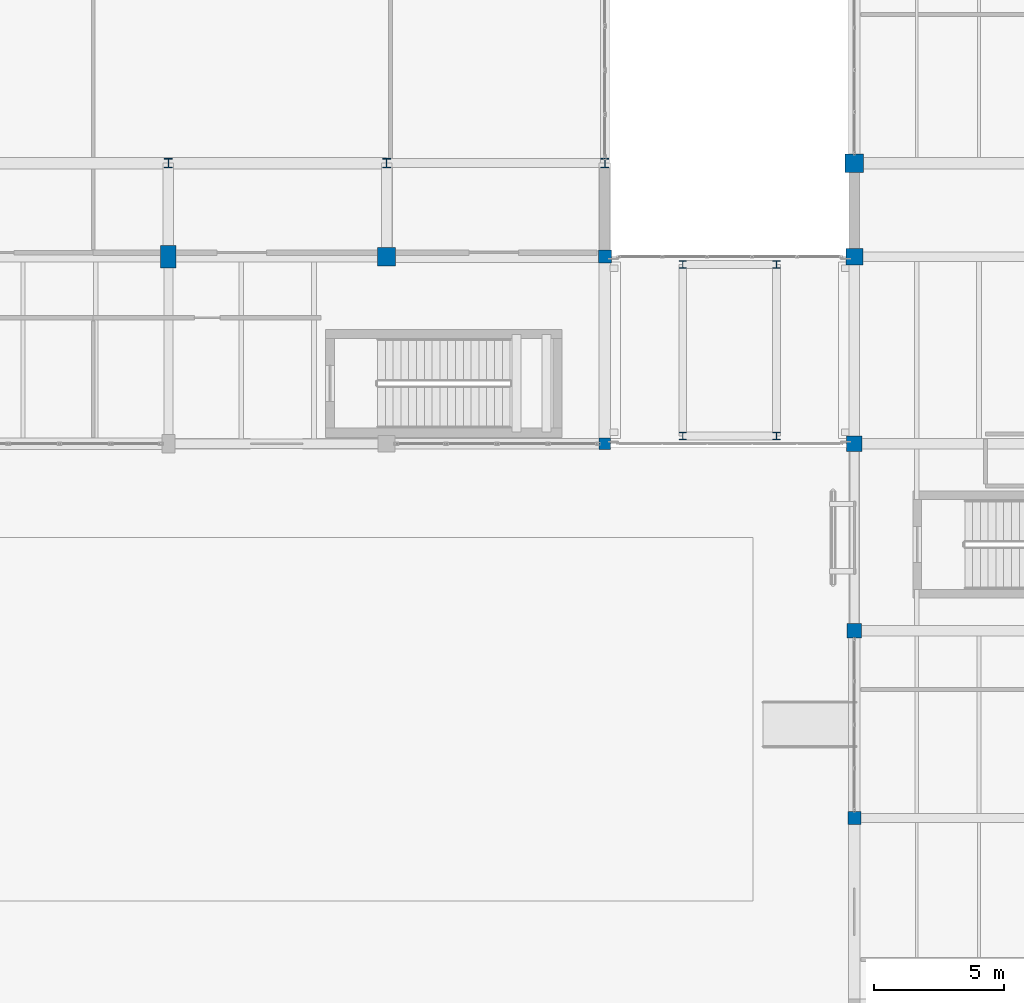
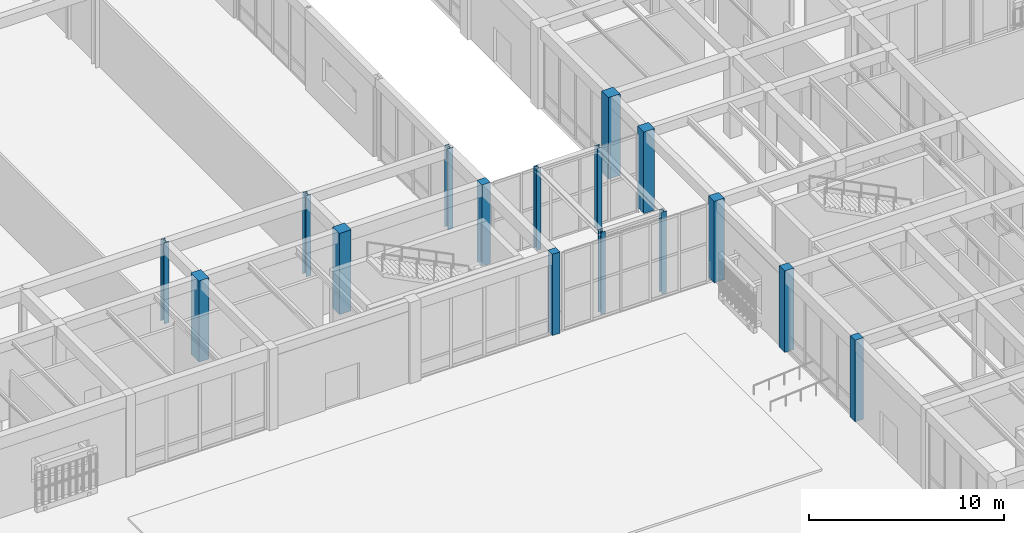
# One storey, part 12 of 169: 16 columns.
"""IFC4 building model written with IfcOpenShell, lengths in metres."""

from ifc_helpers import new_model, si_unit, direction, frame, origin, origin_2d, place, context, subcontext, project, spatial, rectangle, i_section, extrude, material, material_profile, profile_set, type_object, element, save


model = new_model("IFC4")

# Units and contexts
model_context = context("Model", 3, precision=1e-05, world=origin(), true_north=direction((0.0, 1.0)))
body_context = subcontext(model_context, "Body", "Model", "MODEL_VIEW")
ifc_project = project(units=[si_unit("LENGTHUNIT", "METRE"), si_unit("AREAUNIT", "SQUARE_METRE"), si_unit("VOLUMEUNIT", "CUBIC_METRE"), si_unit("PLANEANGLEUNIT", "RADIAN"), si_unit("MASSUNIT", "GRAM", prefix="KILO")], contexts=[model_context])

# Site, building, storey
site_placement = place(None, origin())
site = spatial("IfcSite", under=ifc_project, at=site_placement, CompositionType="ELEMENT")
building_placement = place(site_placement, origin())
building = spatial("IfcBuilding", under=site, at=building_placement, Name="Mazaris Harbour Polytechnic", CompositionType="ELEMENT")
storey_placement = place(building_placement, origin())
storey = spatial("IfcBuildingStorey", under=building, at=storey_placement, Name="L00", CompositionType="ELEMENT", Elevation=0.0)

# Columns
ifc_material_1 = material(Name="Concrete C40/50", Category="concrete")
ifc_material_profile_1 = material_profile(ifc_material_1, rectangle(XDim=0.449951171875, YDim=0.449951171875, at=origin_2d()), Name="RECT450x450")
ifc_profile_set_1 = profile_set([ifc_material_profile_1], Name="Concrete C40/50")
column_type_1 = type_object("IfcColumnType", Name="RC Column 450x450 Exterior", PredefinedType="COLUMN", material=ifc_profile_set_1)
column_1_placement = place(storey_placement, frame((112.800048828125, 75.60009765625, 0.0), z_axis=(0.0, 0.0, 1.0), x_axis=(1.0, 0.0, 0.0)))
element("IfcColumn", 1, at=column_1_placement, inside=storey, type_object=column_type_1, Name="V1 L00 Column 109", PredefinedType="COLUMN", context=body_context, shape_type="SweptSolid", body=[
    extrude(rectangle(XDim=0.449951171875, YDim=0.449951171875, at=origin_2d()), origin(), (0.0, 0.0, 1.0), 5.080078125),
])
ifc_material_2 = material(Name="Concrete C40/50", Category="concrete")
ifc_material_profile_2 = material_profile(ifc_material_2, rectangle(XDim=0.5, YDim=0.5, at=origin_2d()), Name="RECT500x500")
ifc_profile_set_2 = profile_set([ifc_material_profile_2], Name="Concrete C40/50")
column_type_2 = type_object("IfcColumnType", Name="RC Column 500x500 Exterior", PredefinedType="COLUMN", material=ifc_profile_set_2)
column_2_placement = place(storey_placement, frame((112.800048828125, 82.800048828125, 0.0), z_axis=(0.0, 0.0, 1.0), x_axis=(1.0, 0.0, 0.0)))
element("IfcColumn", 2, at=column_2_placement, inside=storey, type_object=column_type_2, Name="V1 L00 Column 110", PredefinedType="COLUMN", context=body_context, shape_type="SweptSolid", body=[
    extrude(rectangle(XDim=0.5, YDim=0.5, at=origin_2d()), origin(), (0.0, 0.0, 1.0), 5.080078125),
])
column_3_placement = place(storey_placement, frame((122.39990234375, 61.199951171875, 0.0), z_axis=(0.0, 0.0, 1.0), x_axis=(1.0, 0.0, 0.0)))
element("IfcColumn", 3, at=column_3_placement, inside=storey, type_object=column_type_2, Name="V5 L00 Column 1180", PredefinedType="COLUMN", context=body_context, shape_type="SweptSolid", body=[
    extrude(rectangle(XDim=0.5, YDim=0.5, at=origin_2d()), origin(), (0.0, 0.0, 1.0), 5.10009765625),
])
ifc_material_3 = material(Name="Concrete C40/50", Category="concrete")
ifc_material_profile_3 = material_profile(ifc_material_3, rectangle(XDim=0.550048828125, YDim=0.550048828125, at=origin_2d()), Name="RECT550x550")
ifc_profile_set_3 = profile_set([ifc_material_profile_3], Name="Concrete C40/50")
column_type_3 = type_object("IfcColumnType", Name="RC Column 550x550 Exterior", PredefinedType="COLUMN", material=ifc_profile_set_3)
column_4_placement = place(storey_placement, frame((122.39990234375, 68.39990234375, 0.0), z_axis=(0.0, 0.0, 1.0), x_axis=(1.0, 0.0, 0.0)))
element("IfcColumn", 4, at=column_4_placement, inside=storey, type_object=column_type_3, Name="V5 L00 Column 1181", PredefinedType="COLUMN", context=body_context, shape_type="SweptSolid", body=[
    extrude(rectangle(XDim=0.550048828125, YDim=0.550048828125, at=origin_2d()), origin(), (0.0, 0.0, 1.0), 5.10009765625),
])
ifc_material_4 = material(Name="Concrete C40/50", Category="concrete")
ifc_material_profile_4 = material_profile(ifc_material_4, rectangle(XDim=0.60009765625, YDim=0.60009765625, at=origin_2d()), Name="RECT600x600")
ifc_profile_set_4 = profile_set([ifc_material_profile_4], Name="Concrete C40/50")
column_type_4 = type_object("IfcColumnType", Name="RC Column 600x600 Exterior", PredefinedType="COLUMN", material=ifc_profile_set_4)
column_5_placement = place(storey_placement, frame((122.39990234375, 75.60009765625, 0.0), z_axis=(0.0, 0.0, 1.0), x_axis=(1.0, 0.0, 0.0)))
element("IfcColumn", 5, at=column_5_placement, inside=storey, type_object=column_type_4, Name="V5 L00 Column 1182", PredefinedType="COLUMN", context=body_context, shape_type="SweptSolid", body=[
    extrude(rectangle(XDim=0.60009765625, YDim=0.60009765625, at=origin_2d()), origin(), (0.0, 0.0, 1.0), 5.10009765625),
])
ifc_material_5 = material(Name="Concrete C40/50", Category="concrete")
ifc_material_profile_5 = material_profile(ifc_material_5, rectangle(XDim=0.60009765625, YDim=0.85009765625, at=origin_2d()), Name="RECT600x850")
ifc_profile_set_5 = profile_set([ifc_material_profile_5], Name="Concrete C40/50")
column_type_5 = type_object("IfcColumnType", Name="RC Column 600x850", PredefinedType="COLUMN", material=ifc_profile_set_5)
column_6_placement = place(storey_placement, frame((96.0, 82.800048828125, 0.0), z_axis=(0.0, 0.0, 1.0), x_axis=(1.0, 0.0, 0.0)))
element("IfcColumn", 6, at=column_6_placement, inside=storey, type_object=column_type_5, Name="V1 L00 Column 98", PredefinedType="COLUMN", context=body_context, shape_type="SweptSolid", body=[
    extrude(rectangle(XDim=0.60009765625, YDim=0.85009765625, at=origin_2d()), origin(), (0.0, 0.0, 1.0), 5.080078125),
])
ifc_material_6 = material(Name="Concrete C40/50", Category="concrete")
ifc_material_profile_6 = material_profile(ifc_material_6, rectangle(XDim=0.64990234375, YDim=0.64990234375, at=origin_2d()), Name="RECT650x650")
ifc_profile_set_6 = profile_set([ifc_material_profile_6], Name="Concrete C40/50")
column_type_6 = type_object("IfcColumnType", Name="RC Column 650x650 Exterior", PredefinedType="COLUMN", material=ifc_profile_set_6)
column_7_placement = place(storey_placement, frame((122.39990234375, 82.800048828125, 0.0), z_axis=(0.0, 0.0, 1.0), x_axis=(1.0, 0.0, 0.0)))
element("IfcColumn", 7, at=column_7_placement, inside=storey, type_object=column_type_6, Name="V5 L00 Column 1183", PredefinedType="COLUMN", context=body_context, shape_type="SweptSolid", body=[
    extrude(rectangle(XDim=0.64990234375, YDim=0.64990234375, at=origin_2d()), origin(), (0.0, 0.0, 1.0), 5.10009765625),
])
ifc_material_7 = material(Name="Concrete C40/50", Category="concrete")
ifc_material_profile_7 = material_profile(ifc_material_7, rectangle(XDim=0.699951171875, YDim=0.699951171875, at=origin_2d()), Name="RECT700x700")
ifc_profile_set_7 = profile_set([ifc_material_profile_7], Name="Concrete C40/50")
column_type_7 = type_object("IfcColumnType", Name="RC Column 700x700", PredefinedType="COLUMN", material=ifc_profile_set_7)
column_8_placement = place(storey_placement, frame((104.39990234375, 82.800048828125, 0.0), z_axis=(0.0, 0.0, 1.0), x_axis=(1.0, 0.0, 0.0)))
element("IfcColumn", 8, at=column_8_placement, inside=storey, type_object=column_type_7, Name="V1 L00 Column 104", PredefinedType="COLUMN", context=body_context, shape_type="SweptSolid", body=[
    extrude(rectangle(XDim=0.699951171875, YDim=0.699951171875, at=origin_2d()), origin(), (0.0, 0.0, 1.0), 5.080078125),
])
ifc_material_8 = material(Name="Concrete C40/50", Category="concrete")
ifc_material_profile_8 = material_profile(ifc_material_8, rectangle(XDim=0.699951171875, YDim=0.699951171875, at=origin_2d()), Name="RECT700x700")
ifc_profile_set_8 = profile_set([ifc_material_profile_8], Name="Concrete C40/50")
column_type_8 = type_object("IfcColumnType", Name="RC Column 700x700 Exterior", PredefinedType="COLUMN", material=ifc_profile_set_8)
column_9_placement = place(storey_placement, frame((122.39990234375, 86.39990234375, 0.0), z_axis=(0.0, 0.0, 1.0), x_axis=(1.0, 0.0, 0.0)))
element("IfcColumn", 9, at=column_9_placement, inside=storey, type_object=column_type_8, Name="V5 L00 Column 1184", PredefinedType="COLUMN", context=body_context, shape_type="SweptSolid", body=[
    extrude(rectangle(XDim=0.699951171875, YDim=0.699951171875, at=origin_2d()), origin(), (0.0, 0.0, 1.0), 5.10009765625),
])
ifc_material_9 = material(Name="Steel S355", Category="steel")
ifc_material_profile_9 = material_profile(ifc_material_9, i_section(OverallWidth=0.280029296875, OverallDepth=0.280029296875, WebThickness=0.010498046875, FlangeThickness=0.01806640625, FilletRadius=0.02392578125, at=origin_2d()), Name="HEB 280")
ifc_profile_set_9 = profile_set([ifc_material_profile_9], Name="Steel S355")
column_type_9 = type_object("IfcColumnType", Name="Steel Column HEB280 Exterior", PredefinedType="COLUMN", material=ifc_profile_set_9)
for number, where, z_axis, x_axis, name in (
    (10, (115.800048828125, 75.89990234375, 0.0), (0.0, 0.0, 1.0), (1.0, 0.0, 0.0), "PB-E2 L00 Bridge Column 1568"),
    (11, (119.39990234375, 75.89990234375, 0.0), (0.0, 0.0, 1.0), (1.0, 0.0, 0.0), "PB-E2 L00 Bridge Column 1569"),
    (12, (115.800048828125, 82.5, 0.0), (0.0, 0.0, 1.0), (1.0, 0.0, 0.0), "PB-E2 L00 Bridge Column 1570"),
    (13, (119.39990234375, 82.5, 0.0), (0.0, 0.0, 1.0), (1.0, 0.0, 0.0), "PB-E2 L00 Bridge Column 1571"),
):
    element("IfcColumn", number, at=place(storey_placement, frame(where, z_axis=z_axis, x_axis=x_axis)), inside=storey, type_object=column_type_9, Name=name, PredefinedType="COLUMN", context=body_context, shape_type="SweptSolid", body=[
        extrude(i_section(OverallWidth=0.280029296875, OverallDepth=0.280029296875, WebThickness=0.010498046875, FlangeThickness=0.01806640625, FilletRadius=0.02392578125, at=origin_2d()), origin(), (0.0, 0.0, 1.0), 5.135009765625),
    ])
ifc_material_10 = material(Name="Steel S355", Category="steel")
ifc_material_profile_10 = material_profile(ifc_material_10, i_section(OverallWidth=0.300048828125, OverallDepth=0.360107421875, WebThickness=0.012451171875, FlangeThickness=0.0224609375, FilletRadius=0.027099609375, at=origin_2d()), Name="HEB 360")
ifc_profile_set_10 = profile_set([ifc_material_profile_10], Name="Steel S355")
column_type_10 = type_object("IfcColumnType", Name="Steel Column HEB360", PredefinedType="COLUMN", material=ifc_profile_set_10)
for number, where, z_axis, x_axis, name in (
    (14, (96.0, 86.39990234375, 0.0), (0.0, 0.0, 1.0), (1.0, 0.0, 0.0), "V1 L00 Column 99"),
    (15, (104.39990234375, 86.39990234375, 0.0), (0.0, 0.0, 1.0), (1.0, 0.0, 0.0), "V1 L00 Column 105"),
):
    element("IfcColumn", number, at=place(storey_placement, frame(where, z_axis=z_axis, x_axis=x_axis)), inside=storey, type_object=column_type_10, Name=name, PredefinedType="COLUMN", context=body_context, shape_type="SweptSolid", body=[
        extrude(i_section(OverallWidth=0.300048828125, OverallDepth=0.360107421875, WebThickness=0.012451171875, FlangeThickness=0.0224609375, FilletRadius=0.027099609375, at=origin_2d()), origin(), (0.0, 0.0, 1.0), 5.080078125),
    ])
ifc_material_11 = material(Name="Steel S355", Category="steel")
ifc_material_profile_11 = material_profile(ifc_material_11, i_section(OverallWidth=0.300048828125, OverallDepth=0.360107421875, WebThickness=0.012451171875, FlangeThickness=0.0224609375, FilletRadius=0.027099609375, at=origin_2d()), Name="HEB 360")
ifc_profile_set_11 = profile_set([ifc_material_profile_11], Name="Steel S355")
column_type_11 = type_object("IfcColumnType", Name="Steel Column HEB360 Exterior", PredefinedType="COLUMN", material=ifc_profile_set_11)
column_10_placement = place(storey_placement, frame((112.800048828125, 86.39990234375, 0.0), z_axis=(0.0, 0.0, 1.0), x_axis=(1.0, 0.0, 0.0)))
element("IfcColumn", 16, at=column_10_placement, inside=storey, type_object=column_type_11, Name="V1 L00 Column 111", PredefinedType="COLUMN", context=body_context, shape_type="SweptSolid", body=[
    extrude(i_section(OverallWidth=0.300048828125, OverallDepth=0.360107421875, WebThickness=0.012451171875, FlangeThickness=0.0224609375, FilletRadius=0.027099609375, at=origin_2d()), origin(), (0.0, 0.0, 1.0), 5.080078125),
])

save(model, "model.ifc")
